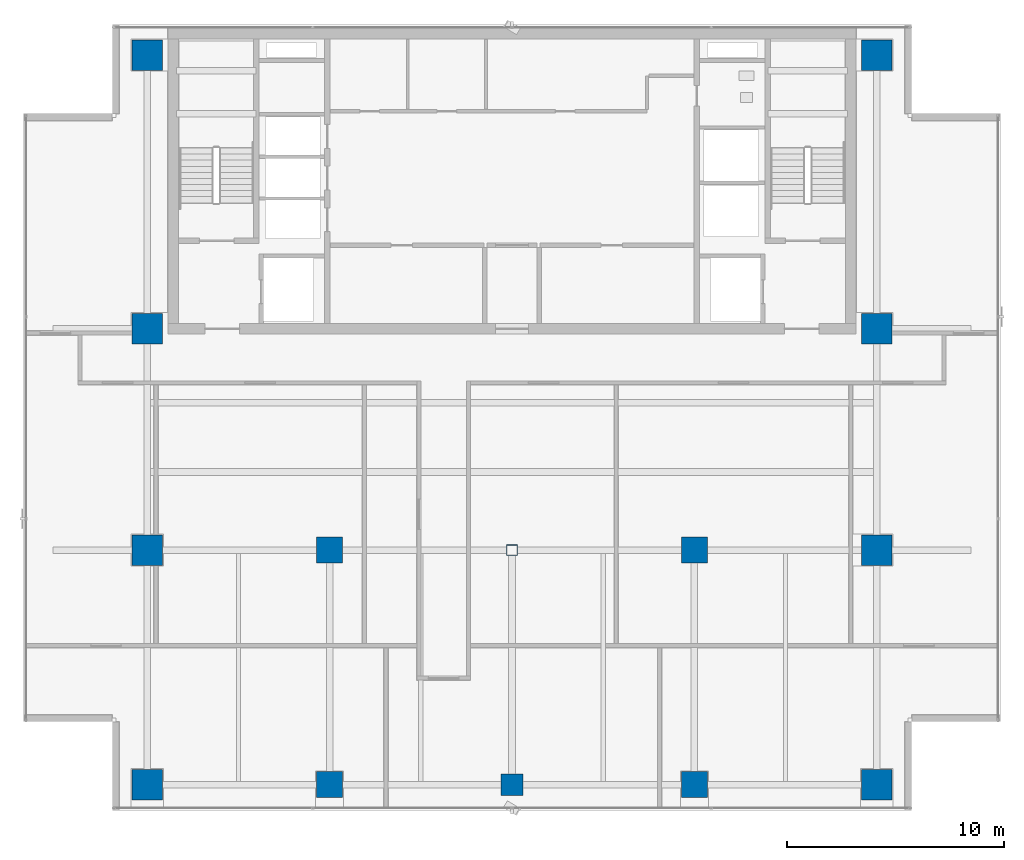
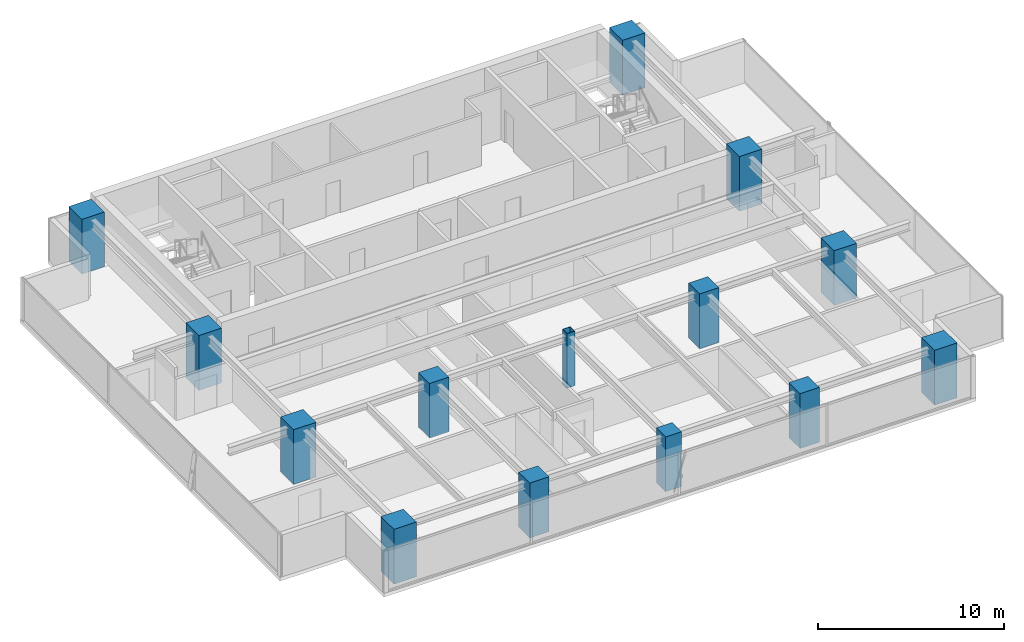
# One storey, part 1 of 25: 14 columns.
"""IFC4 building model written with IfcOpenShell, lengths in metres."""

from ifc_helpers import new_model, si_unit, direction, frame, origin, origin_with_axes, origin_2d, place, context, subcontext, project, spatial, rectangle, hollow_rectangle, extrude, source, transform, mapped, material, material_profile, profile_set, type_object, element, save


model = new_model("IFC4")

# Units and contexts
model_context = context("Model", 3, precision=1e-05, world=origin(), true_north=direction((0.0, 1.0)))
body_context = subcontext(model_context, "Body", "Model", "MODEL_VIEW")
ifc_project = project(units=[si_unit("LENGTHUNIT", "METRE"), si_unit("AREAUNIT", "SQUARE_METRE"), si_unit("VOLUMEUNIT", "CUBIC_METRE"), si_unit("PLANEANGLEUNIT", "RADIAN"), si_unit("MASSUNIT", "GRAM", prefix="KILO")], contexts=[model_context])

# Site, building, storey
site_placement = place(None, origin())
site = spatial("IfcSite", under=ifc_project, at=site_placement, CompositionType="ELEMENT")
building_placement = place(site_placement, origin())
building = spatial("IfcBuilding", under=site, at=building_placement, Name="Sumidabori Civic Tower", CompositionType="ELEMENT")
storey_placement = place(building_placement, frame((0.0, 0.0, 268.39990234375)))
storey = spatial("IfcBuildingStorey", under=building, at=storey_placement, Name="L70", CompositionType="ELEMENT", Elevation=268.39990234375)

# Columns
ifc_material_1 = material(Name="Concrete C60/75", Category="concrete")
ifc_material_profile_1 = material_profile(ifc_material_1, rectangle(XDim=1.39990234375, YDim=1.39990234375, at=origin_2d()), Name="RC 1400x1400")
ifc_profile_set_1 = profile_set([ifc_material_profile_1], Name="Concrete C60/75")
column_type_1 = type_object("IfcColumnType", Name="CL-MEGA-1400", PredefinedType="COLUMN", material=ifc_profile_set_1)
shared_shape_1 = source(origin(), body_context, "Body", "SweptSolid", [
    extrude(rectangle(XDim=1.39990234375, YDim=1.39990234375, at=origin_2d()), origin(), (0.0, 0.0, 1.0), 3.60009765625),
])
for number, where, z_axis, x_axis, name in (
    (1, (-16.800048828125, -10.800048828125, 0.0), (0.0, 0.0, 1.0), (1.0, 0.0, 0.0), "Column MC-W16-Y11S L70"),
    (2, (-16.800048828125, 0.0, 0.0), (0.0, 0.0, 1.0), (1.0, 0.0, 0.0), "Column MC-W16-Y00 L70"),
    (3, (-16.800048828125, 10.199951171875, 0.0), (0.0, 0.0, 1.0), (1.0, 0.0, 0.0), "Column MC-W16-Y10N L70"),
    (4, (-16.800048828125, 22.800048828125, 0.0), (0.0, 0.0, 1.0), (1.0, 0.0, 0.0), "Column MC-W16-Y23N L70"),
    (5, (16.800048828125, -10.800048828125, 0.0), (0.0, 0.0, 1.0), (1.0, 0.0, 0.0), "Column MC-E16-Y11S L70"),
    (6, (16.800048828125, 0.0, 0.0), (0.0, 0.0, 1.0), (1.0, 0.0, 0.0), "Column MC-E16-Y00 L70"),
    (7, (16.800048828125, 10.199951171875, 0.0), (0.0, 0.0, 1.0), (1.0, 0.0, 0.0), "Column MC-E16-Y10N L70"),
    (8, (16.800048828125, 22.800048828125, 0.0), (0.0, 0.0, 1.0), (1.0, 0.0, 0.0), "Column MC-E16-Y23N L70"),
):
    element("IfcColumn", number, at=place(storey_placement, frame(where, z_axis=z_axis, x_axis=x_axis)), inside=storey, type_object=column_type_1, Name=name, PredefinedType="COLUMN", context=body_context, shape_type="MappedRepresentation", body=[
        mapped(shared_shape_1, transform((0.0, 0.0, 0.0), x_axis=(1.0, 0.0, 0.0), y_axis=(0.0, 1.0, 0.0), z_axis=(0.0, 0.0, 1.0), scale=1.0)),
    ])
ifc_material_2 = material(Name="Concrete C50/60", Category="concrete")
ifc_material_profile_2 = material_profile(ifc_material_2, rectangle(XDim=1.0, YDim=1.0, at=origin_2d()), Name="RC 1000x1000")
ifc_profile_set_2 = profile_set([ifc_material_profile_2], Name="Concrete C50/60")
column_type_2 = type_object("IfcColumnType", Name="CL-INT-1000", PredefinedType="COLUMN", material=ifc_profile_set_2)
shared_shape_2 = source(origin(), body_context, "Body", "SweptSolid", [
    extrude(rectangle(XDim=1.0, YDim=1.0, at=origin_2d()), origin(), (0.0, 0.0, 1.0), 3.60009765625),
])
column_1_placement = place(storey_placement, frame((0.0, -10.800048828125, 0.0), z_axis=(0.0, 0.0, 1.0), x_axis=(1.0, 0.0, 0.0)))
element("IfcColumn", 9, at=column_1_placement, inside=storey, type_object=column_type_2, Name="Column MC-C00-Y11S L70", PredefinedType="COLUMN", context=body_context, shape_type="MappedRepresentation", body=[
    mapped(shared_shape_2, transform((0.0, 0.0, 0.0), x_axis=(1.0, 0.0, 0.0), y_axis=(0.0, 1.0, 0.0), z_axis=(0.0, 0.0, 1.0), scale=1.0)),
])
ifc_material_profile_3 = material_profile(ifc_material_2, rectangle(XDim=1.199951171875, YDim=1.199951171875, at=origin_2d()), Name="RC 1200x1200")
ifc_profile_set_3 = profile_set([ifc_material_profile_3], Name="Concrete C50/60")
column_type_3 = type_object("IfcColumnType", Name="CL-MEGA-1200", PredefinedType="COLUMN", material=ifc_profile_set_3)
shared_shape_3 = source(origin(), body_context, "Body", "SweptSolid", [
    extrude(rectangle(XDim=1.199951171875, YDim=1.199951171875, at=origin_2d()), origin(), (0.0, 0.0, 1.0), 3.60009765625),
])
for number, where, z_axis, x_axis, name in (
    (10, (-8.39990234375, 0.0, 0.0), (0.0, 0.0, 1.0), (1.0, 0.0, 0.0), "Column MC-W08-Y00 L70"),
    (11, (-8.39990234375, -10.800048828125, 0.0), (0.0, 0.0, 1.0), (1.0, 0.0, 0.0), "Column MC-W08-Y11S L70"),
    (12, (8.39990234375, 0.0, 0.0), (0.0, 0.0, 1.0), (1.0, 0.0, 0.0), "Column MC-E08-Y00 L70"),
    (13, (8.39990234375, -10.800048828125, 0.0), (0.0, 0.0, 1.0), (1.0, 0.0, 0.0), "Column MC-E08-Y11S L70"),
):
    element("IfcColumn", number, at=place(storey_placement, frame(where, z_axis=z_axis, x_axis=x_axis)), inside=storey, type_object=column_type_3, Name=name, PredefinedType="COLUMN", context=body_context, shape_type="MappedRepresentation", body=[
        mapped(shared_shape_3, transform((0.0, 0.0, 0.0), x_axis=(1.0, 0.0, 0.0), y_axis=(0.0, 1.0, 0.0), z_axis=(0.0, 0.0, 1.0), scale=1.0)),
    ])
ifc_material_3 = material(Name="Steel SN490", Category="steel")
ifc_material_profile_4 = material_profile(ifc_material_3, hollow_rectangle(XDim=0.5, YDim=0.5, WallThickness=0.02490234375, at=origin_2d()), Name="SHS 500x500x25")
ifc_profile_set_4 = profile_set([ifc_material_profile_4], Name="Steel SN490")
column_type_4 = type_object("IfcColumnType", Name="CL-CRN-SHS500", PredefinedType="COLUMN", material=ifc_profile_set_4)
shared_shape_4 = source(origin(), body_context, "Body", "SweptSolid", [
    extrude(hollow_rectangle(XDim=0.5, YDim=0.5, WallThickness=0.02490234375, at=origin_2d()), origin(), (0.0, 0.0, 1.0), 3.60009765625),
])
column_2_placement = place(storey_placement, origin_with_axes())
element("IfcColumn", 14, at=column_2_placement, inside=storey, type_object=column_type_4, Name="Column MC-C00-Y00 L70", PredefinedType="COLUMN", context=body_context, shape_type="MappedRepresentation", body=[
    mapped(shared_shape_4, transform((0.0, 0.0, 0.0), x_axis=(1.0, 0.0, 0.0), y_axis=(0.0, 1.0, 0.0), z_axis=(0.0, 0.0, 1.0), scale=1.0)),
])

save(model, "model.ifc")
